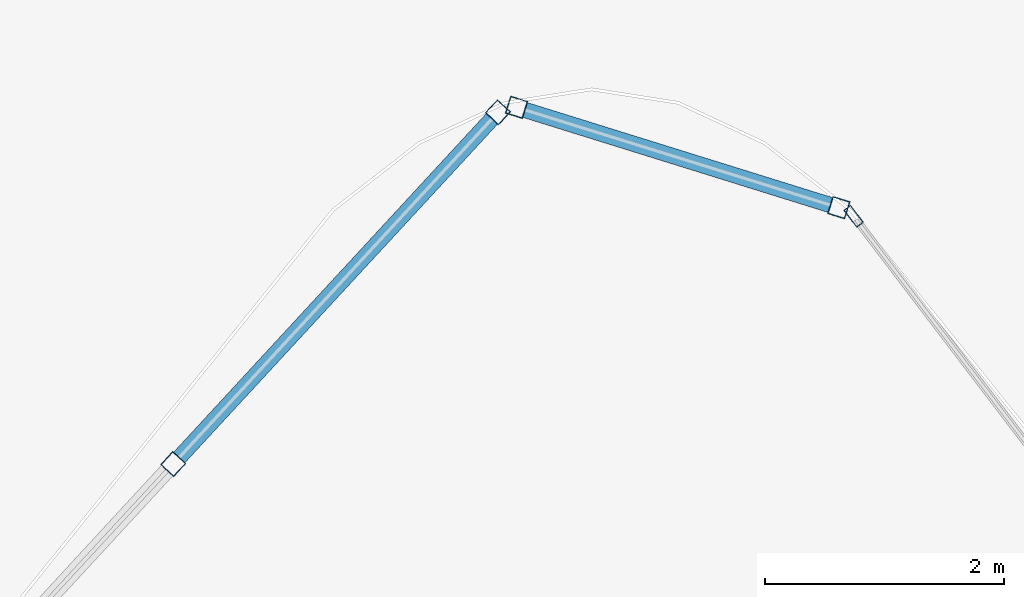
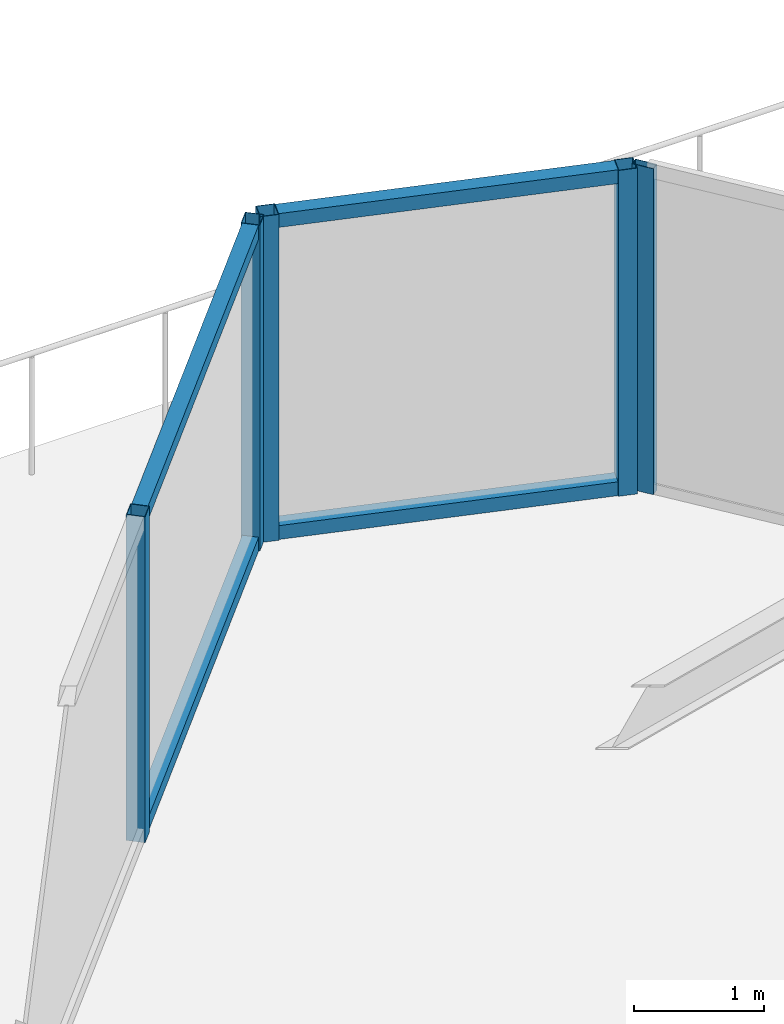
# One storey, part 24 of 36: 9 members, 3 elements without a shape of their own.
"""IFC4 building model written with IfcOpenShell, lengths in metres."""

from ifc_helpers import new_model, si_unit, direction, frame, origin, origin_2d, place, context, subcontext, project, spatial, hollow_rectangle, extrude, material, layer, layer_set, material_profile, profile_set, type_object, element, aggregate, save


model = new_model("IFC4")

# Units and contexts
model_context = context("Model", 3, precision=1e-05, world=origin(), true_north=direction((0.0, 1.0)))
body_context = subcontext(model_context, "Body", "Model", "MODEL_VIEW")
ifc_project = project(units=[si_unit("LENGTHUNIT", "METRE"), si_unit("AREAUNIT", "SQUARE_METRE"), si_unit("VOLUMEUNIT", "CUBIC_METRE"), si_unit("PLANEANGLEUNIT", "RADIAN"), si_unit("MASSUNIT", "GRAM", prefix="KILO")], contexts=[model_context])

# Site, building, storey
site_placement = place(None, origin())
site = spatial("IfcSite", under=ifc_project, at=site_placement, CompositionType="ELEMENT")
building_placement = place(site_placement, origin())
building = spatial("IfcBuilding", under=site, at=building_placement, Name="Orvanel Arch Residences", CompositionType="ELEMENT")
storey_placement = place(building_placement, frame((0.0, 0.0, 23.60009765625)))
storey = spatial("IfcBuildingStorey", under=building, at=storey_placement, Name="L05", CompositionType="ELEMENT", Elevation=23.60009765625)

# Curtain wall, members
ifc_material = material(Name="Bronze-anodised aluminium AA6063-T6", Category="aluminium")
ifc_layer_1 = layer(ifc_material, 0.18994140625)
ifc_layer_set_1 = layer_set([ifc_layer_1], Name="Bronze-anodised aluminium AA6063-T6")
curtain_wall_type_1 = type_object("IfcCurtainWallType", Name="CW5-CRN-SYS", PredefinedType="NOTDEFINED", material=ifc_layer_set_1)
curtain_wall_1_placement = place(storey_placement, origin())
curtain_wall_1 = element("IfcCurtainWall", 1, at=curtain_wall_1_placement, inside=storey, type_object=curtain_wall_type_1, Name="L05 CW5-CRN-SYS Unitised Curtain Wall", PredefinedType="NOTDEFINED")
ifc_material_profile_1 = material_profile(ifc_material, hollow_rectangle(XDim=0.14990234375, YDim=0.14990234375, WallThickness=0.0048828125, at=origin_2d()), Name="ALU150x150x5")
ifc_profile_set_1 = profile_set([ifc_material_profile_1], Name="Bronze-anodised aluminium AA6063-T6")
member_type_1 = type_object("IfcMemberType", Name="MUL-150x150", PredefinedType="MULLION", material=ifc_profile_set_1)
member_1_placement = place(storey_placement, frame((35.0693359375, 51.7763671875, 0.0), z_axis=(0.0, 0.0, 1.0), x_axis=(-0.297318393597, -0.954778389381, 0.0)))
member_1 = element("IfcMember", 2, at=member_1_placement, type_object=member_type_1, Name="CW-S5 mullion 1", PredefinedType="MULLION", context=body_context, shape_type="SweptSolid", body=[
    extrude(hollow_rectangle(XDim=0.14990234375, YDim=0.14990234375, WallThickness=0.0048828125, at=origin_2d()), origin(), (0.0, 0.0, 1.0), 3.059814453125),
])
member_2_placement = place(storey_placement, frame((32.37060546875, 52.61669921875, 0.0), z_axis=(0.0, 0.0, 1.0), x_axis=(-0.297318393597, -0.954778389381, 0.0)))
member_2 = element("IfcMember", 3, at=member_2_placement, type_object=member_type_1, Name="CW-S5 mullion 2", PredefinedType="MULLION", context=body_context, shape_type="SweptSolid", body=[
    extrude(hollow_rectangle(XDim=0.14990234375, YDim=0.14990234375, WallThickness=0.0048828125, at=origin_2d()), origin(), (0.0, 0.0, 1.0), 3.059814453125),
])

curtain_wall_2_placement = place(storey_placement, origin())
curtain_wall_2 = element("IfcCurtainWall", 4, at=curtain_wall_2_placement, inside=storey, type_object=curtain_wall_type_1, Name="L05 CW5-CRN-SYS Unitised Curtain Wall", PredefinedType="NOTDEFINED")
member_3_placement = place(storey_placement, frame((32.215087890625, 52.574951171875, 0.0), z_axis=(0.0, 0.0, 1.0), x_axis=(0.734704866707, -0.678386879912, 0.0)))
member_3 = element("IfcMember", 5, at=member_3_placement, type_object=member_type_1, Name="CW-S5 mullion 1", PredefinedType="MULLION", context=body_context, shape_type="SweptSolid", body=[
    extrude(hollow_rectangle(XDim=0.14990234375, YDim=0.14990234375, WallThickness=0.0048828125, at=origin_2d()), origin(), (0.0, 0.0, 1.0), 3.059814453125),
])
member_4_placement = place(storey_placement, frame((29.49560546875, 49.62939453125, 0.0), z_axis=(0.0, 0.0, 1.0), x_axis=(0.734704866707, -0.678386879912, 0.0)))
member_4 = element("IfcMember", 6, at=member_4_placement, type_object=member_type_1, Name="CW-S5 mullion 2", PredefinedType="MULLION", context=body_context, shape_type="SweptSolid", body=[
    extrude(hollow_rectangle(XDim=0.14990234375, YDim=0.14990234375, WallThickness=0.0048828125, at=origin_2d()), origin(), (0.0, 0.0, 1.0), 3.059814453125),
])

# Curtain wall, member
ifc_layer_2 = layer(ifc_material, 0.179931640625)
ifc_layer_set_2 = layer_set([ifc_layer_2], Name="Bronze-anodised aluminium AA6063-T6")
curtain_wall_type_2 = type_object("IfcCurtainWallType", Name="CW2-LOW-SYS", PredefinedType="NOTDEFINED", material=ifc_layer_set_2)
curtain_wall_3_placement = place(storey_placement, origin())
curtain_wall_3 = element("IfcCurtainWall", 7, at=curtain_wall_3_placement, inside=storey, type_object=curtain_wall_type_2, Name="L05 CW2-LOW-SYS Unitised Curtain Wall", PredefinedType="NOTDEFINED")
ifc_material_profile_2 = material_profile(ifc_material, hollow_rectangle(XDim=0.070068359375, YDim=0.179931640625, WallThickness=0.00439453125, at=origin_2d()), Name="ALU180x70x4.5")
ifc_profile_set_2 = profile_set([ifc_material_profile_2], Name="Bronze-anodised aluminium AA6063-T6")
member_type_2 = type_object("IfcMemberType", Name="MUL-180x70", PredefinedType="MULLION", material=ifc_profile_set_2)
member_5_placement = place(storey_placement, frame((35.193115234375, 51.7041015625, 0.0), z_axis=(0.0, 0.0, 1.0), x_axis=(-0.795608016507, -0.605811756299, 0.0)))
member_5 = element("IfcMember", 8, at=member_5_placement, type_object=member_type_2, Name="CW-S2 mullion 4", PredefinedType="MULLION", context=body_context, shape_type="SweptSolid", body=[
    extrude(hollow_rectangle(XDim=0.070068359375, YDim=0.179931640625, WallThickness=0.00439453125, at=origin_2d()), origin(), (0.0, 0.0, 1.0), 3.059814453125),
])
aggregate(curtain_wall_3, [member_5])

# Member
ifc_material_profile_3 = material_profile(ifc_material, hollow_rectangle(XDim=0.1298828125, YDim=0.1298828125, WallThickness=0.00439453125, at=origin_2d()), Name="ALU130x130x4.5")
ifc_profile_set_3 = profile_set([ifc_material_profile_3], Name="Bronze-anodised aluminium AA6063-T6")
member_type_3 = type_object("IfcMemberType", Name="TRN-130x130", PredefinedType="USERDEFINED", material=ifc_profile_set_3)
member_6_placement = place(storey_placement, frame((34.997802734375, 51.798583984375, 0.06494140625), z_axis=(-0.954771647461, 0.297340043057, 0.0), x_axis=(-0.297340043057, -0.954771647461, 0.0)))
member_6 = element("IfcMember", 9, at=member_6_placement, type_object=member_type_3, Name="CW-S5 transom 1.1", ObjectType="TRANSOM", PredefinedType="USERDEFINED", context=body_context, shape_type="SweptSolid", body=[
    extrude(hollow_rectangle(XDim=0.1298828125, YDim=0.1298828125, WallThickness=0.00439453125, at=origin_2d()), origin(), (0.0, 0.0, 1.0), 2.6767578125),
])

member_7_placement = place(storey_placement, frame((34.997802734375, 51.798583984375, 2.994873046875), z_axis=(-0.954771647461, 0.297340043057, 0.0), x_axis=(-0.297340043057, -0.954771647461, 0.0)))
member_7 = element("IfcMember", 10, at=member_7_placement, type_object=member_type_3, Name="CW-S5 transom 1.2", ObjectType="TRANSOM", PredefinedType="USERDEFINED", context=body_context, shape_type="SweptSolid", body=[
    extrude(hollow_rectangle(XDim=0.1298828125, YDim=0.1298828125, WallThickness=0.00439453125, at=origin_2d()), origin(), (0.0, 0.0, 1.0), 2.6767578125),
])

aggregate(curtain_wall_1, [member_1, member_2, member_6, member_7])

member_8_placement = place(storey_placement, frame((32.164306640625, 52.519775390625, 0.06494140625), z_axis=(-0.678393082781, -0.734699139264, 0.0), x_axis=(0.734699139264, -0.678393082781, 0.0)))
member_8 = element("IfcMember", 11, at=member_8_placement, type_object=member_type_3, Name="CW-S5 transom 1.1", ObjectType="TRANSOM", PredefinedType="USERDEFINED", context=body_context, shape_type="SweptSolid", body=[
    extrude(hollow_rectangle(XDim=0.1298828125, YDim=0.1298828125, WallThickness=0.00439453125, at=origin_2d()), origin(), (0.0, 0.0, 1.0), 3.85888671875),
])

member_9_placement = place(storey_placement, frame((32.164306640625, 52.519775390625, 2.994873046875), z_axis=(-0.678393082781, -0.734699139264, 0.0), x_axis=(0.734699139264, -0.678393082781, 0.0)))
member_9 = element("IfcMember", 12, at=member_9_placement, type_object=member_type_3, Name="CW-S5 transom 1.2", ObjectType="TRANSOM", PredefinedType="USERDEFINED", context=body_context, shape_type="SweptSolid", body=[
    extrude(hollow_rectangle(XDim=0.1298828125, YDim=0.1298828125, WallThickness=0.00439453125, at=origin_2d()), origin(), (0.0, 0.0, 1.0), 3.85888671875),
])

aggregate(curtain_wall_2, [member_3, member_4, member_8, member_9])

save(model, "model.ifc")
